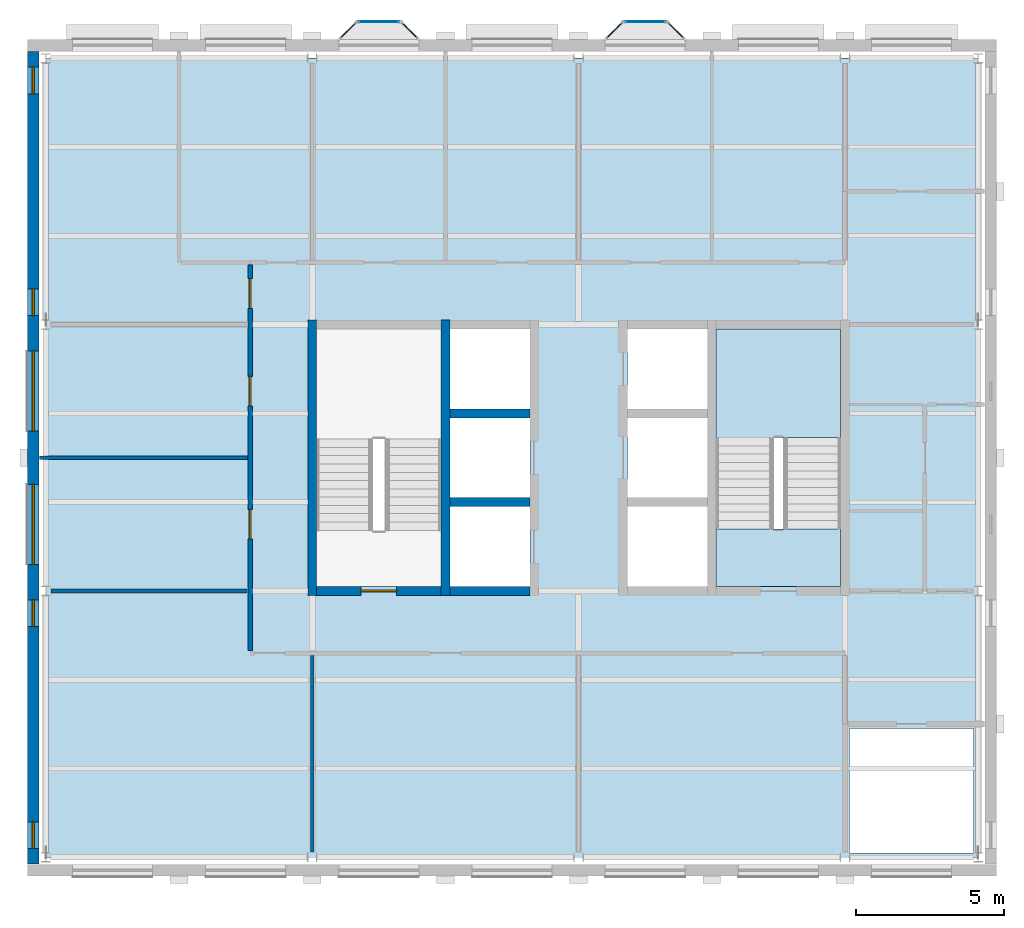
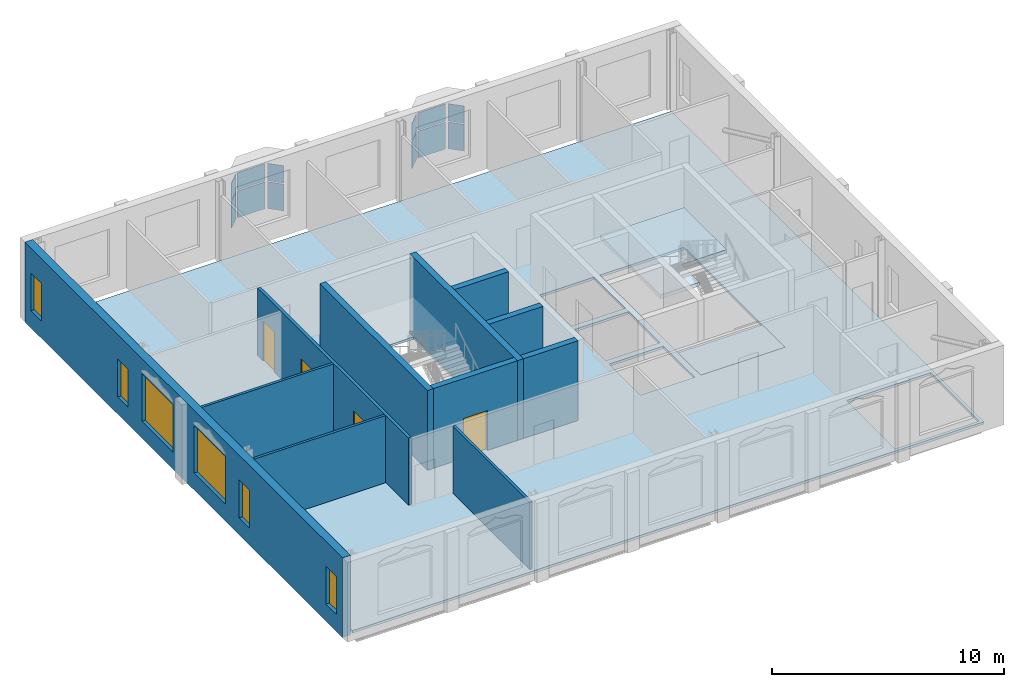
# One storey, part 3 of 9: 12 plates, 11 walls, 6 windows, 4 doors, 3 slabs, 10 openings, 7 elements without a shape of their own.
"""IFC4 building model written with IfcOpenShell, lengths in metres."""

from ifc_helpers import new_model, si_unit, direction, frame, frame_2d, origin, origin_2d, place, context, subcontext, project, spatial, polyline, rectangle, outline, extrude, material, layer, layer_set, type_object, element, fill, aggregate, save


model = new_model("IFC4")

# Units and contexts
model_context = context("Model", 3, precision=1e-05, world=origin(), true_north=direction((0.0, 1.0)))
body_context = subcontext(model_context, "Body", "Model", "MODEL_VIEW")
ifc_project = project(units=[si_unit("LENGTHUNIT", "METRE"), si_unit("AREAUNIT", "SQUARE_METRE"), si_unit("VOLUMEUNIT", "CUBIC_METRE"), si_unit("PLANEANGLEUNIT", "RADIAN"), si_unit("MASSUNIT", "GRAM", prefix="KILO")], contexts=[model_context])

# Site, building, storey
site_placement = place(None, origin())
site = spatial("IfcSite", under=ifc_project, at=site_placement, CompositionType="ELEMENT")
building_placement = place(site_placement, origin())
building = spatial("IfcBuilding", under=site, at=building_placement, Name="Hortulan Conservatory and Botanical Research Centre", CompositionType="ELEMENT")
storey_placement = place(building_placement, frame((0.0, 0.0, 52.800048828125)))
storey = spatial("IfcBuildingStorey", under=building, at=storey_placement, Name="L12", CompositionType="ELEMENT", Elevation=52.800048828125)

# Slab
ifc_material_1 = material(Name="Concrete N32 (32 MPa, AS 3600)", Category="concrete")
ifc_layer_1 = layer(ifc_material_1, 0.1298828125)
ifc_layer_set_1 = layer_set([ifc_layer_1], Name="Composite Floor Slab 130")
slab_type_1 = type_object("IfcSlabType", Name="Composite Floor Slab 130", PredefinedType="FLOOR", material=ifc_layer_set_1)
slab_1_placement = place(storey_placement, frame((0.0, 0.0, -0.130126953125)))
element("IfcSlab", 1, at=slab_1_placement, inside=storey, type_object=slab_type_1, Name="Floor slab", PredefinedType="FLOOR", context=body_context, shape_type="SweptSolid", body=[
    extrude(outline(polyline([(0.0, 0.0), (31.5, 0.0), (31.5, 27.0), (0.0, 27.0), (0.0, 0.0)]), holes=[polyline([(27.14990234375, 4.35009765625), (27.14990234375, 0.14990234375), (31.35009765625, 0.14990234375), (31.35009765625, 4.35009765625), (27.14990234375, 4.35009765625)]), polyline([(13.64990234375, 11.85009765625), (13.64990234375, 9.14990234375), (16.35009765625, 9.14990234375), (16.35009765625, 11.85009765625), (13.64990234375, 11.85009765625)]), polyline([(19.64990234375, 11.85009765625), (19.64990234375, 9.14990234375), (22.35009765625, 9.14990234375), (22.35009765625, 11.85009765625), (19.64990234375, 11.85009765625)]), polyline([(9.14990234375, 17.85009765625), (9.14990234375, 9.14990234375), (13.35009765625, 9.14990234375), (13.35009765625, 17.85009765625), (9.14990234375, 17.85009765625)]), polyline([(13.64990234375, 14.85009765625), (13.64990234375, 12.14990234375), (16.35009765625, 12.14990234375), (16.35009765625, 14.85009765625), (13.64990234375, 14.85009765625)]), polyline([(19.64990234375, 14.85009765625), (19.64990234375, 12.14990234375), (22.35009765625, 12.14990234375), (22.35009765625, 14.85009765625), (19.64990234375, 14.85009765625)]), polyline([(22.64990234375, 17.85009765625), (22.64990234375, 9.14990234375), (26.85009765625, 9.14990234375), (26.85009765625, 17.85009765625), (22.64990234375, 17.85009765625)]), polyline([(16.35009765625, 17.85009765625), (13.64990234375, 17.85009765625), (13.64990234375, 15.14990234375), (16.35009765625, 15.14990234375), (16.35009765625, 17.85009765625)]), polyline([(22.35009765625, 17.85009765625), (19.64990234375, 17.85009765625), (19.64990234375, 15.14990234375), (22.35009765625, 15.14990234375), (22.35009765625, 17.85009765625)])]), origin(), (0.0, 0.0, 1.0), 0.130126953125),
])

# Curtain wall, plates
ifc_material_2 = material(Name="Bronze-finished aluminium", Category="aluminium")
ifc_layer_2 = layer(ifc_material_2, 0.10009765625)
ifc_layer_set_2 = layer_set([ifc_layer_2], Name="Oriel Curtain Wall 1350 module")
curtain_wall_type = type_object("IfcCurtainWallType", Name="Oriel Curtain Wall 1350 module", PredefinedType="NOTDEFINED", material=ifc_layer_set_2)
curtain_wall_1_placement = place(storey_placement, origin())
curtain_wall_1 = element("IfcCurtainWall", 2, at=curtain_wall_1_placement, inside=storey, type_object=curtain_wall_type, Name="Oriel glazing", PredefinedType="NOTDEFINED")
ifc_material_3 = material(Name="Low-e laminated glass", Category="glass")
ifc_layer_3 = layer(ifc_material_3, 0.028076171875)
ifc_layer_set_3 = layer_set([ifc_layer_3], Name="Laminated Glass Panel 28")
plate_type = type_object("IfcPlateType", Name="Laminated Glass Panel 28", PredefinedType="CURTAIN_PANEL", material=ifc_layer_set_3)
plate_1_placement = place(storey_placement, frame((10.199951171875, 27.93603515625, 0.9599609375), z_axis=(0.0, 0.0, 1.0), x_axis=(0.707106781187, 0.707106781187, 0.0)))
plate_1 = element("IfcPlate", 3, at=plate_1_placement, type_object=plate_type, Name="CW2 panel 1.1", PredefinedType="CURTAIN_PANEL", context=body_context, shape_type="SweptSolid", body=[
    extrude(rectangle(XDim=0.728515625, YDim=0.028076171875, at=origin_2d()), origin(), (0.0, 0.0, 1.0), 1.409912109375),
])
plate_2_placement = place(storey_placement, frame((10.199951171875, 27.93603515625, 2.43017578125), z_axis=(0.0, 0.0, 1.0), x_axis=(0.707106781187, 0.707106781187, 0.0)))
plate_2 = element("IfcPlate", 4, at=plate_2_placement, type_object=plate_type, Name="CW2 panel 1.2", PredefinedType="CURTAIN_PANEL", context=body_context, shape_type="SweptSolid", body=[
    extrude(rectangle(XDim=0.728515625, YDim=0.028076171875, at=origin_2d()), origin(), (0.0, 0.0, 1.0), 0.909912109375),
])
aggregate(curtain_wall_1, [plate_1, plate_2])

curtain_wall_2_placement = place(storey_placement, origin())
curtain_wall_2 = element("IfcCurtainWall", 5, at=curtain_wall_2_placement, inside=storey, type_object=curtain_wall_type, Name="Oriel glazing", PredefinedType="NOTDEFINED")
plate_3_placement = place(storey_placement, frame((11.25, 28.236083984375, 0.9599609375), z_axis=(0.0, 0.0, 1.0), x_axis=(1.0, 0.0, 0.0)))
plate_3 = element("IfcPlate", 6, at=plate_3_placement, type_object=plate_type, Name="CW2 panel 1.1", PredefinedType="CURTAIN_PANEL", context=body_context, shape_type="SweptSolid", body=[
    extrude(rectangle(XDim=1.3798828125, YDim=0.028076171875, at=origin_2d()), origin(), (0.0, 0.0, 1.0), 1.409912109375),
])
plate_4_placement = place(storey_placement, frame((11.25, 28.236083984375, 2.43017578125), z_axis=(0.0, 0.0, 1.0), x_axis=(1.0, 0.0, 0.0)))
plate_4 = element("IfcPlate", 7, at=plate_4_placement, type_object=plate_type, Name="CW2 panel 1.2", PredefinedType="CURTAIN_PANEL", context=body_context, shape_type="SweptSolid", body=[
    extrude(rectangle(XDim=1.3798828125, YDim=0.028076171875, at=origin_2d()), origin(), (0.0, 0.0, 1.0), 0.909912109375),
])
aggregate(curtain_wall_2, [plate_3, plate_4])

curtain_wall_3_placement = place(storey_placement, origin())
curtain_wall_3 = element("IfcCurtainWall", 8, at=curtain_wall_3_placement, inside=storey, type_object=curtain_wall_type, Name="Oriel glazing", PredefinedType="NOTDEFINED")
plate_5_placement = place(storey_placement, frame((12.300048828125, 27.93603515625, 0.9599609375), z_axis=(0.0, 0.0, 1.0), x_axis=(0.707106781187, -0.707106781187, 0.0)))
plate_5 = element("IfcPlate", 9, at=plate_5_placement, type_object=plate_type, Name="CW2 panel 1.1", PredefinedType="CURTAIN_PANEL", context=body_context, shape_type="SweptSolid", body=[
    extrude(rectangle(XDim=0.728515625, YDim=0.028076171875, at=origin_2d()), origin(), (0.0, 0.0, 1.0), 1.409912109375),
])
plate_6_placement = place(storey_placement, frame((12.300048828125, 27.93603515625, 2.43017578125), z_axis=(0.0, 0.0, 1.0), x_axis=(0.707106781187, -0.707106781187, 0.0)))
plate_6 = element("IfcPlate", 10, at=plate_6_placement, type_object=plate_type, Name="CW2 panel 1.2", PredefinedType="CURTAIN_PANEL", context=body_context, shape_type="SweptSolid", body=[
    extrude(rectangle(XDim=0.728515625, YDim=0.028076171875, at=origin_2d()), origin(), (0.0, 0.0, 1.0), 0.909912109375),
])
aggregate(curtain_wall_3, [plate_5, plate_6])

curtain_wall_4_placement = place(storey_placement, origin())
curtain_wall_4 = element("IfcCurtainWall", 11, at=curtain_wall_4_placement, inside=storey, type_object=curtain_wall_type, Name="Oriel glazing", PredefinedType="NOTDEFINED")
plate_7_placement = place(storey_placement, frame((19.199951171875, 27.93603515625, 0.9599609375), z_axis=(0.0, 0.0, 1.0), x_axis=(0.707106781187, 0.707106781187, 0.0)))
plate_7 = element("IfcPlate", 12, at=plate_7_placement, type_object=plate_type, Name="CW2 panel 1.1", PredefinedType="CURTAIN_PANEL", context=body_context, shape_type="SweptSolid", body=[
    extrude(rectangle(XDim=0.728515625, YDim=0.028076171875, at=origin_2d()), origin(), (0.0, 0.0, 1.0), 1.409912109375),
])
plate_8_placement = place(storey_placement, frame((19.199951171875, 27.93603515625, 2.43017578125), z_axis=(0.0, 0.0, 1.0), x_axis=(0.707106781187, 0.707106781187, 0.0)))
plate_8 = element("IfcPlate", 13, at=plate_8_placement, type_object=plate_type, Name="CW2 panel 1.2", PredefinedType="CURTAIN_PANEL", context=body_context, shape_type="SweptSolid", body=[
    extrude(rectangle(XDim=0.728515625, YDim=0.028076171875, at=origin_2d()), origin(), (0.0, 0.0, 1.0), 0.909912109375),
])
aggregate(curtain_wall_4, [plate_7, plate_8])

curtain_wall_5_placement = place(storey_placement, origin())
curtain_wall_5 = element("IfcCurtainWall", 14, at=curtain_wall_5_placement, inside=storey, type_object=curtain_wall_type, Name="Oriel glazing", PredefinedType="NOTDEFINED")
plate_9_placement = place(storey_placement, frame((20.25, 28.236083984375, 0.9599609375), z_axis=(0.0, 0.0, 1.0), x_axis=(1.0, 0.0, 0.0)))
plate_9 = element("IfcPlate", 15, at=plate_9_placement, type_object=plate_type, Name="CW2 panel 1.1", PredefinedType="CURTAIN_PANEL", context=body_context, shape_type="SweptSolid", body=[
    extrude(rectangle(XDim=1.3798828125, YDim=0.028076171875, at=origin_2d()), origin(), (0.0, 0.0, 1.0), 1.409912109375),
])
plate_10_placement = place(storey_placement, frame((20.25, 28.236083984375, 2.43017578125), z_axis=(0.0, 0.0, 1.0), x_axis=(1.0, 0.0, 0.0)))
plate_10 = element("IfcPlate", 16, at=plate_10_placement, type_object=plate_type, Name="CW2 panel 1.2", PredefinedType="CURTAIN_PANEL", context=body_context, shape_type="SweptSolid", body=[
    extrude(rectangle(XDim=1.3798828125, YDim=0.028076171875, at=origin_2d()), origin(), (0.0, 0.0, 1.0), 0.909912109375),
])
aggregate(curtain_wall_5, [plate_9, plate_10])

curtain_wall_6_placement = place(storey_placement, origin())
curtain_wall_6 = element("IfcCurtainWall", 17, at=curtain_wall_6_placement, inside=storey, type_object=curtain_wall_type, Name="Oriel glazing", PredefinedType="NOTDEFINED")
plate_11_placement = place(storey_placement, frame((21.300048828125, 27.93603515625, 0.9599609375), z_axis=(0.0, 0.0, 1.0), x_axis=(0.707106781187, -0.707106781187, 0.0)))
plate_11 = element("IfcPlate", 18, at=plate_11_placement, type_object=plate_type, Name="CW2 panel 1.1", PredefinedType="CURTAIN_PANEL", context=body_context, shape_type="SweptSolid", body=[
    extrude(rectangle(XDim=0.728515625, YDim=0.028076171875, at=origin_2d()), origin(), (0.0, 0.0, 1.0), 1.409912109375),
])
plate_12_placement = place(storey_placement, frame((21.300048828125, 27.93603515625, 2.43017578125), z_axis=(0.0, 0.0, 1.0), x_axis=(0.707106781187, -0.707106781187, 0.0)))
plate_12 = element("IfcPlate", 19, at=plate_12_placement, type_object=plate_type, Name="CW2 panel 1.2", PredefinedType="CURTAIN_PANEL", context=body_context, shape_type="SweptSolid", body=[
    extrude(rectangle(XDim=0.728515625, YDim=0.028076171875, at=origin_2d()), origin(), (0.0, 0.0, 1.0), 0.909912109375),
])
aggregate(curtain_wall_6, [plate_11, plate_12])

# Stair, slab
ifc_material_4 = material(Name="Concrete N40 (40 MPa, AS 3600)", Category="concrete")
stair_type = type_object("IfcStairType", Name="Concrete Escape Stair 1950", PredefinedType="HALF_TURN_STAIR", material=ifc_material_4)
stair_placement = place(storey_placement, origin())
stair = element("IfcStair", 20, at=stair_placement, inside=storey, type_object=stair_type, Name="Stair T2 L12", PredefinedType="HALF_TURN_STAIR")
ifc_layer_4 = layer(ifc_material_4, 0.199951171875)
ifc_layer_set_4 = layer_set([ifc_layer_4], Name="Stair Landing 200")
slab_type_2 = type_object("IfcSlabType", Name="Stair Landing 200", PredefinedType="LANDING", material=ifc_layer_set_4)
slab_2_placement = place(storey_placement, frame((0.0, 0.0, 1.89990234375)))
slab_2 = element("IfcSlab", 21, at=slab_2_placement, type_object=slab_type_2, Name="Stair T2 L12 half landing 1", PredefinedType="LANDING", context=body_context, shape_type="SweptSolid", body=[
    extrude(outline(polyline([(26.85009765625, 14.179443359375), (24.60009765625, 14.179443359375), (24.60009765625, 12.639892578125), (22.64990234375, 12.639892578125), (22.64990234375, 14.179443359375), (22.64990234375, 14.179931640625), (22.64990234375, 14.18994140625), (22.64990234375, 17.85009765625), (26.85009765625, 17.85009765625), (26.85009765625, 14.18994140625), (26.85009765625, 14.179931640625), (26.85009765625, 14.179443359375)])), origin(), (0.0, 0.0, 1.0), 0.199951171875),
])
aggregate(stair, [slab_2])

# Slab
slab_3_placement = place(storey_placement, frame((0.0, 0.0, -0.199951171875)))
element("IfcSlab", 22, at=slab_3_placement, inside=storey, type_object=slab_type_2, Name="Stair T2 floor landing L12", PredefinedType="LANDING", context=body_context, shape_type="SweptSolid", body=[
    extrude(outline(polyline([(26.85009765625, 9.14990234375), (22.64990234375, 9.14990234375), (22.64990234375, 11.10009765625), (26.85009765625, 11.10009765625), (26.85009765625, 9.14990234375)])), origin(), (0.0, 0.0, 1.0), 0.199951171875),
])

# Walls
ifc_layer_5 = layer(ifc_material_4, 0.300048828125)
ifc_layer_set_5 = layer_set([ifc_layer_5], Name="Core Wall 300 N40 FRL 240/120/120")
wall_type_1 = type_object("IfcWallType", Name="Core Wall 300 N40 FRL 240/120/120", PredefinedType="SHEAR", material=ifc_layer_set_5)
for number, where, z_axis, x_axis, name in (
    (23, (9.0, 8.85009765625, 0.0), (0.0, 0.0, 1.0), (0.0, 1.0, 0.0), "Reinforced concrete shaft wall"),
    (24, (13.5, 8.85009765625, 0.0), (0.0, 0.0, 1.0), (0.0, 1.0, 0.0), "Reinforced concrete shaft wall"),
):
    element("IfcWall", number, at=place(storey_placement, frame(where, z_axis=z_axis, x_axis=x_axis)), inside=storey, type_object=wall_type_1, Name=name, PredefinedType="SHEAR", context=body_context, shape_type="SweptSolid", body=[
        extrude(rectangle(XDim=9.2998046875, YDim=0.300048828125, at=frame_2d((4.64990234375, 0.0))), origin(), (0.0, 0.0, 1.0), 4.199951171875),
    ])

# Wall, opening, door
wall_1_placement = place(storey_placement, frame((9.14990234375, 9.0, 0.0), z_axis=(0.0, 0.0, 1.0), x_axis=(1.0, 0.0, 0.0)))
wall_1 = element("IfcWall", 25, at=wall_1_placement, inside=storey, type_object=wall_type_1, Name="Reinforced concrete shaft wall", PredefinedType="SHEAR", context=body_context, shape_type="SweptSolid", body=[
    extrude(rectangle(XDim=4.2001953125, YDim=0.300048828125, at=frame_2d((2.10009765625, 0.0))), origin(), (0.0, 0.0, 1.0), 4.199951171875),
])
opening_1_placement = place(wall_1_placement, frame((1.5, 0.0, 0.0)))
opening_1 = element("IfcOpeningElement", 26, at=opening_1_placement, cuts=wall_1, Name="Opening DT5", PredefinedType="OPENING", context=body_context, shape_type="SweptSolid", body=[
    extrude(rectangle(XDim=1.199951171875, YDim=2.10009765625, at=frame_2d((0.60009765625, 1.050048828125))), frame((0.0, 0.159912109375, 0.0), z_axis=(0.0, -1.0, 0.0), x_axis=(1.0, 0.0, 0.0)), (0.0, 0.0, 1.0), 0.320068359375),
])
ifc_material_5 = material(Name="Steel door leaf, insulated", Category="steel")
door_type_1 = type_object("IfcDoorType", Name="Stair Door 1200x2100 FRL -/120/30", OperationType="NOTDEFINED", PredefinedType="DOOR", material=ifc_material_5)
door_1_placement = place(opening_1_placement, origin())
door_1 = element("IfcDoor", 27, at=door_1_placement, inside=storey, type_object=door_type_1, Name="Door DT5 Exit Stair T1", OperationType="SINGLE_SWING_RIGHT", OverallHeight=2.10009765625, OverallWidth=1.199951171875, PredefinedType="DOOR", context=body_context, shape_type="SweptSolid", body=[
    extrude(rectangle(XDim=1.199951171875, YDim=2.10009765625, at=frame_2d((0.60009765625, 1.050048828125))), frame((0.0, 0.02490234375, 0.0), z_axis=(0.0, -1.0, 0.0), x_axis=(1.0, 0.0, 0.0)), (0.0, 0.0, 1.0), 0.050048828125),
])
fill(opening_1, door_1)

# Walls
for number, where, z_axis, x_axis, name in (
    (28, (13.64990234375, 9.0, 0.0), (0.0, 0.0, 1.0), (1.0, 0.0, 0.0), "Reinforced concrete shaft wall"),
    (29, (13.64990234375, 12.0, 0.0), (0.0, 0.0, 1.0), (1.0, 0.0, 0.0), "Reinforced concrete shaft wall"),
    (30, (13.64990234375, 15.0, 0.0), (0.0, 0.0, 1.0), (1.0, 0.0, 0.0), "Reinforced concrete shaft wall"),
):
    element("IfcWall", number, at=place(storey_placement, frame(where, z_axis=z_axis, x_axis=x_axis)), inside=storey, type_object=wall_type_1, Name=name, PredefinedType="SHEAR", context=body_context, shape_type="SweptSolid", body=[
        extrude(rectangle(XDim=2.7001953125, YDim=0.300048828125, at=frame_2d((1.35009765625, 0.0))), origin(), (0.0, 0.0, 1.0), 4.199951171875),
    ])

# Wall, openings, doors
ifc_material_6 = material(Name="Plasterboard on steel studs", Category="steel")
ifc_layer_6 = layer(ifc_material_6, 0.14990234375)
ifc_layer_set_6 = layer_set([ifc_layer_6], Name="Corridor Partition 150")
wall_type_2 = type_object("IfcWallType", Name="Corridor Partition 150", PredefinedType="PARTITIONING", material=ifc_layer_set_6)
wall_2_placement = place(storey_placement, frame((6.89990234375, 6.985107421875, 0.0), z_axis=(0.0, 0.0, 1.0), x_axis=(0.0, 1.0, 0.0)))
wall_2 = element("IfcWall", 31, at=wall_2_placement, inside=storey, type_object=wall_type_2, Name="Corridor partition", PredefinedType="PARTITIONING", context=body_context, shape_type="SweptSolid", body=[
    extrude(rectangle(XDim=13.02978515625, YDim=0.14990234375, at=frame_2d((6.514892578125, 0.0))), origin(), (0.0, 0.0, 1.0), 3.5419921875),
])
opening_2_placement = place(wall_2_placement, frame((11.56494140625, 0.0, 0.0)))
opening_2 = element("IfcOpeningElement", 32, at=opening_2_placement, cuts=wall_2, Name="Opening DT1", PredefinedType="OPENING", context=body_context, shape_type="SweptSolid", body=[
    extrude(rectangle(XDim=1.0, YDim=2.10009765625, at=frame_2d((0.5, 1.050048828125))), frame((0.0, 0.0849609375, 0.0), z_axis=(0.0, -1.0, 0.0), x_axis=(1.0, 0.0, 0.0)), (0.0, 0.0, 1.0), 0.169921875),
])
opening_3_placement = place(wall_2_placement, frame((3.764892578125, 0.0, 0.0)))
opening_3 = element("IfcOpeningElement", 33, at=opening_3_placement, cuts=wall_2, Name="Opening DT1", PredefinedType="OPENING", context=body_context, shape_type="SweptSolid", body=[
    extrude(rectangle(XDim=1.0, YDim=2.10009765625, at=frame_2d((0.5, 1.050048828125))), frame((0.0, 0.0849609375, 0.0), z_axis=(0.0, -1.0, 0.0), x_axis=(1.0, 0.0, 0.0)), (0.0, 0.0, 1.0), 0.169921875),
])
opening_4_placement = place(wall_2_placement, frame((8.264892578125, 0.0, 0.0)))
opening_4 = element("IfcOpeningElement", 34, at=opening_4_placement, cuts=wall_2, Name="Opening DT1", PredefinedType="OPENING", context=body_context, shape_type="SweptSolid", body=[
    extrude(rectangle(XDim=1.0, YDim=2.10009765625, at=frame_2d((0.5, 1.050048828125))), frame((0.0, 0.0849609375, 0.0), z_axis=(0.0, -1.0, 0.0), x_axis=(1.0, 0.0, 0.0)), (0.0, 0.0, 1.0), 0.169921875),
])
ifc_material_7 = material(Name="Timber door leaf in timber frame", Category="wood")
door_type_2 = type_object("IfcDoorType", Name="Single Door 1000x2100", OperationType="NOTDEFINED", PredefinedType="DOOR", material=ifc_material_7)
door_2_placement = place(opening_2_placement, origin())
door_2 = element("IfcDoor", 35, at=door_2_placement, inside=storey, type_object=door_type_2, Name="Door DT1 Quiet Room", OperationType="SINGLE_SWING_RIGHT", OverallHeight=2.10009765625, OverallWidth=1.0, PredefinedType="DOOR", context=body_context, shape_type="SweptSolid", body=[
    extrude(rectangle(XDim=1.0, YDim=2.10009765625, at=frame_2d((0.5, 1.050048828125))), frame((0.0, 0.02490234375, 0.0), z_axis=(0.0, -1.0, 0.0), x_axis=(1.0, 0.0, 0.0)), (0.0, 0.0, 1.0), 0.050048828125),
])
fill(opening_2, door_2)
door_3_placement = place(opening_3_placement, origin())
door_3 = element("IfcDoor", 36, at=door_3_placement, inside=storey, type_object=door_type_2, Name="Door DT1 Quiet Room", OperationType="SINGLE_SWING_RIGHT", OverallHeight=2.10009765625, OverallWidth=1.0, PredefinedType="DOOR", context=body_context, shape_type="SweptSolid", body=[
    extrude(rectangle(XDim=1.0, YDim=2.10009765625, at=frame_2d((0.5, 1.050048828125))), frame((0.0, 0.02490234375, 0.0), z_axis=(0.0, -1.0, 0.0), x_axis=(1.0, 0.0, 0.0)), (0.0, 0.0, 1.0), 0.050048828125),
])
fill(opening_3, door_3)
door_4_placement = place(opening_4_placement, origin())
door_4 = element("IfcDoor", 37, at=door_4_placement, inside=storey, type_object=door_type_2, Name="Door DT1 Print and Copy Room", OperationType="SINGLE_SWING_LEFT", OverallHeight=2.10009765625, OverallWidth=1.0, PredefinedType="DOOR", context=body_context, shape_type="SweptSolid", body=[
    extrude(rectangle(XDim=1.0, YDim=2.10009765625, at=frame_2d((0.5, 1.050048828125))), frame((0.0, 0.02490234375, 0.0), z_axis=(0.0, -1.0, 0.0), x_axis=(1.0, 0.0, 0.0)), (0.0, 0.0, 1.0), 0.050048828125),
])
fill(opening_4, door_4)

# Wall, openings, windows
ifc_material_8 = material(Name="Faience-faced brickwork masonry", Category="masonry")
ifc_layer_7 = layer(ifc_material_8, 0.39990234375)
ifc_layer_set_7 = layer_set([ifc_layer_7], Name="Faience-faced Masonry Cavity Wall 400")
wall_type_3 = type_object("IfcWallType", Name="Faience-faced Masonry Cavity Wall 400", PredefinedType="STANDARD", material=ifc_layer_set_7)
wall_3_placement = place(storey_placement, frame((-0.425048828125, -0.22509765625, 0.0), z_axis=(0.0, 0.0, 1.0), x_axis=(0.0, 1.0, 0.0)))
wall_3 = element("IfcWall", 38, at=wall_3_placement, inside=storey, type_object=wall_type_3, Name="E-EW-TW-L12-W2", PredefinedType="STANDARD", context=body_context, shape_type="SweptSolid", body=[
    extrude(rectangle(XDim=27.4501953125, YDim=0.39990234375, at=frame_2d((13.72509765625, 0.0))), origin(), (0.0, 0.0, 1.0), 4.199951171875),
])
opening_5_placement = place(wall_3_placement, frame((0.52490234375, 0.0, 0.89990234375)))
opening_5 = element("IfcOpeningElement", 39, at=opening_5_placement, cuts=wall_3, Name="Opening W5", PredefinedType="OPENING", context=body_context, shape_type="SweptSolid", body=[
    extrude(rectangle(XDim=0.89990234375, YDim=2.0, at=frame_2d((0.449951171875, 1.0))), frame((0.0, 0.2099609375, 0.0), z_axis=(0.0, -1.0, 0.0), x_axis=(1.0, 0.0, 0.0)), (0.0, 0.0, 1.0), 0.419921875),
])
opening_6_placement = place(wall_3_placement, frame((8.02490234375, 0.0, 0.89990234375)))
opening_6 = element("IfcOpeningElement", 40, at=opening_6_placement, cuts=wall_3, Name="Opening W5", PredefinedType="OPENING", context=body_context, shape_type="SweptSolid", body=[
    extrude(rectangle(XDim=0.89990234375, YDim=2.0, at=frame_2d((0.449951171875, 1.0))), frame((0.0, 0.2099609375, 0.0), z_axis=(0.0, -1.0, 0.0), x_axis=(1.0, 0.0, 0.0)), (0.0, 0.0, 1.0), 0.419921875),
])
opening_7_placement = place(wall_3_placement, frame((10.125, 0.0, 0.89990234375)))
opening_7 = element("IfcOpeningElement", 41, at=opening_7_placement, cuts=wall_3, Name="Opening W4", PredefinedType="OPENING", context=body_context, shape_type="SweptSolid", body=[
    extrude(rectangle(XDim=2.699951171875, YDim=2.5, at=frame_2d((1.35009765625, 1.25))), frame((0.0, 0.2099609375, 0.0), z_axis=(0.0, -1.0, 0.0), x_axis=(1.0, 0.0, 0.0)), (0.0, 0.0, 1.0), 0.419921875),
])
opening_8_placement = place(wall_3_placement, frame((14.625, 0.0, 0.89990234375)))
opening_8 = element("IfcOpeningElement", 42, at=opening_8_placement, cuts=wall_3, Name="Opening W4", PredefinedType="OPENING", context=body_context, shape_type="SweptSolid", body=[
    extrude(rectangle(XDim=2.699951171875, YDim=2.5, at=frame_2d((1.35009765625, 1.25))), frame((0.0, 0.2099609375, 0.0), z_axis=(0.0, -1.0, 0.0), x_axis=(1.0, 0.0, 0.0)), (0.0, 0.0, 1.0), 0.419921875),
])
opening_9_placement = place(wall_3_placement, frame((18.52490234375, 0.0, 0.89990234375)))
opening_9 = element("IfcOpeningElement", 43, at=opening_9_placement, cuts=wall_3, Name="Opening W5", PredefinedType="OPENING", context=body_context, shape_type="SweptSolid", body=[
    extrude(rectangle(XDim=0.89990234375, YDim=2.0, at=frame_2d((0.449951171875, 1.0))), frame((0.0, 0.2099609375, 0.0), z_axis=(0.0, -1.0, 0.0), x_axis=(1.0, 0.0, 0.0)), (0.0, 0.0, 1.0), 0.419921875),
])
opening_10_placement = place(wall_3_placement, frame((26.02490234375, 0.0, 0.89990234375)))
opening_10 = element("IfcOpeningElement", 44, at=opening_10_placement, cuts=wall_3, Name="Opening W5", PredefinedType="OPENING", context=body_context, shape_type="SweptSolid", body=[
    extrude(rectangle(XDim=0.89990234375, YDim=2.0, at=frame_2d((0.449951171875, 1.0))), frame((0.0, 0.2099609375, 0.0), z_axis=(0.0, -1.0, 0.0), x_axis=(1.0, 0.0, 0.0)), (0.0, 0.0, 1.0), 0.419921875),
])
ifc_material_9 = material(Name="Bronze-finished aluminium frame with low-e laminated double glazing", Category="aluminium")
window_type_1 = type_object("IfcWindowType", Name="Faience Pier Window 900x2000", PartitioningType="SINGLE_PANEL", PredefinedType="WINDOW", material=ifc_material_9)
window_1_placement = place(opening_5_placement, origin())
window_1 = element("IfcWindow", 45, at=window_1_placement, inside=storey, type_object=window_type_1, Name="Faience Pier window", OverallHeight=2.0, OverallWidth=0.89990234375, PartitioningType="SINGLE_PANEL", PredefinedType="WINDOW", context=body_context, shape_type="SweptSolid", body=[
    extrude(rectangle(XDim=0.89990234375, YDim=2.0, at=frame_2d((0.449951171875, 1.0))), frame((0.0, 0.030029296875, 0.0), z_axis=(0.0, -1.0, 0.0), x_axis=(1.0, 0.0, 0.0)), (0.0, 0.0, 1.0), 0.06005859375),
])
fill(opening_5, window_1)
window_2_placement = place(opening_6_placement, origin())
window_2 = element("IfcWindow", 46, at=window_2_placement, inside=storey, type_object=window_type_1, Name="Faience Pier window", OverallHeight=2.0, OverallWidth=0.89990234375, PartitioningType="SINGLE_PANEL", PredefinedType="WINDOW", context=body_context, shape_type="SweptSolid", body=[
    extrude(rectangle(XDim=0.89990234375, YDim=2.0, at=frame_2d((0.449951171875, 1.0))), frame((0.0, 0.030029296875, 0.0), z_axis=(0.0, -1.0, 0.0), x_axis=(1.0, 0.0, 0.0)), (0.0, 0.0, 1.0), 0.06005859375),
])
fill(opening_6, window_2)
window_3_placement = place(opening_9_placement, origin())
window_3 = element("IfcWindow", 47, at=window_3_placement, inside=storey, type_object=window_type_1, Name="Faience Pier window", OverallHeight=2.0, OverallWidth=0.89990234375, PartitioningType="SINGLE_PANEL", PredefinedType="WINDOW", context=body_context, shape_type="SweptSolid", body=[
    extrude(rectangle(XDim=0.89990234375, YDim=2.0, at=frame_2d((0.449951171875, 1.0))), frame((0.0, 0.030029296875, 0.0), z_axis=(0.0, -1.0, 0.0), x_axis=(1.0, 0.0, 0.0)), (0.0, 0.0, 1.0), 0.06005859375),
])
fill(opening_9, window_3)
window_4_placement = place(opening_10_placement, origin())
window_4 = element("IfcWindow", 48, at=window_4_placement, inside=storey, type_object=window_type_1, Name="Faience Pier window", OverallHeight=2.0, OverallWidth=0.89990234375, PartitioningType="SINGLE_PANEL", PredefinedType="WINDOW", context=body_context, shape_type="SweptSolid", body=[
    extrude(rectangle(XDim=0.89990234375, YDim=2.0, at=frame_2d((0.449951171875, 1.0))), frame((0.0, 0.030029296875, 0.0), z_axis=(0.0, -1.0, 0.0), x_axis=(1.0, 0.0, 0.0)), (0.0, 0.0, 1.0), 0.06005859375),
])
fill(opening_10, window_4)
window_type_2 = type_object("IfcWindowType", Name="Faience Window 2700x2500", PartitioningType="SINGLE_PANEL", PredefinedType="WINDOW", material=ifc_material_9)
window_5_placement = place(opening_7_placement, origin())
window_5 = element("IfcWindow", 49, at=window_5_placement, inside=storey, type_object=window_type_2, Name="Faience window", OverallHeight=2.5, OverallWidth=2.699951171875, PartitioningType="SINGLE_PANEL", PredefinedType="WINDOW", context=body_context, shape_type="SweptSolid", body=[
    extrude(rectangle(XDim=2.699951171875, YDim=2.5, at=frame_2d((1.35009765625, 1.25))), frame((0.0, 0.030029296875, 0.0), z_axis=(0.0, -1.0, 0.0), x_axis=(1.0, 0.0, 0.0)), (0.0, 0.0, 1.0), 0.06005859375),
])
fill(opening_7, window_5)
window_6_placement = place(opening_8_placement, origin())
window_6 = element("IfcWindow", 50, at=window_6_placement, inside=storey, type_object=window_type_2, Name="Faience window", OverallHeight=2.5, OverallWidth=2.699951171875, PartitioningType="SINGLE_PANEL", PredefinedType="WINDOW", context=body_context, shape_type="SweptSolid", body=[
    extrude(rectangle(XDim=2.699951171875, YDim=2.5, at=frame_2d((1.35009765625, 1.25))), frame((0.0, 0.030029296875, 0.0), z_axis=(0.0, -1.0, 0.0), x_axis=(1.0, 0.0, 0.0)), (0.0, 0.0, 1.0), 0.06005859375),
])
fill(opening_8, window_6)

# Walls
ifc_layer_8 = layer(ifc_material_6, 0.125)
ifc_layer_set_8 = layer_set([ifc_layer_8], Name="Partition 125")
wall_type_4 = type_object("IfcWallType", Name="Partition 125", PredefinedType="PARTITIONING", material=ifc_layer_set_8)
wall_4_placement = place(storey_placement, frame((9.0, 0.17041015625, 0.0), z_axis=(0.0, 0.0, 1.0), x_axis=(0.0, 1.0, 0.0)))
element("IfcWall", 51, at=wall_4_placement, inside=storey, type_object=wall_type_4, Name="Partition", PredefinedType="PARTITIONING", context=body_context, shape_type="SweptSolid", body=[
    extrude(rectangle(XDim=6.64453125, YDim=0.125, at=frame_2d((3.322265625, 0.0))), origin(), (0.0, 0.0, 1.0), 3.5419921875),
])
wall_5_placement = place(storey_placement, frame((0.16455078125, 9.0, 0.0), z_axis=(0.0, 0.0, 1.0), x_axis=(1.0, 0.0, 0.0)))
element("IfcWall", 52, at=wall_5_placement, inside=storey, type_object=wall_type_4, Name="Partition", PredefinedType="PARTITIONING", context=body_context, shape_type="SweptSolid", body=[
    extrude(rectangle(XDim=6.650390625, YDim=0.125, at=frame_2d((3.3251953125, 0.0))), origin(), (0.0, 0.0, 1.0), 3.5419921875),
])
wall_6_placement = place(storey_placement, frame((-0.215087890625, 13.5, 0.0), z_axis=(0.0, 0.0, 1.0), x_axis=(1.0, 0.0, 0.0)))
element("IfcWall", 53, at=wall_6_placement, inside=storey, type_object=wall_type_4, Name="Partition", PredefinedType="PARTITIONING", context=body_context, shape_type="SweptSolid", body=[
    extrude(rectangle(XDim=7.030029296875, YDim=0.125, at=frame_2d((3.51513671875, 0.0))), origin(), (0.0, 0.0, 1.0), 3.5419921875),
])

save(model, "model.ifc")
